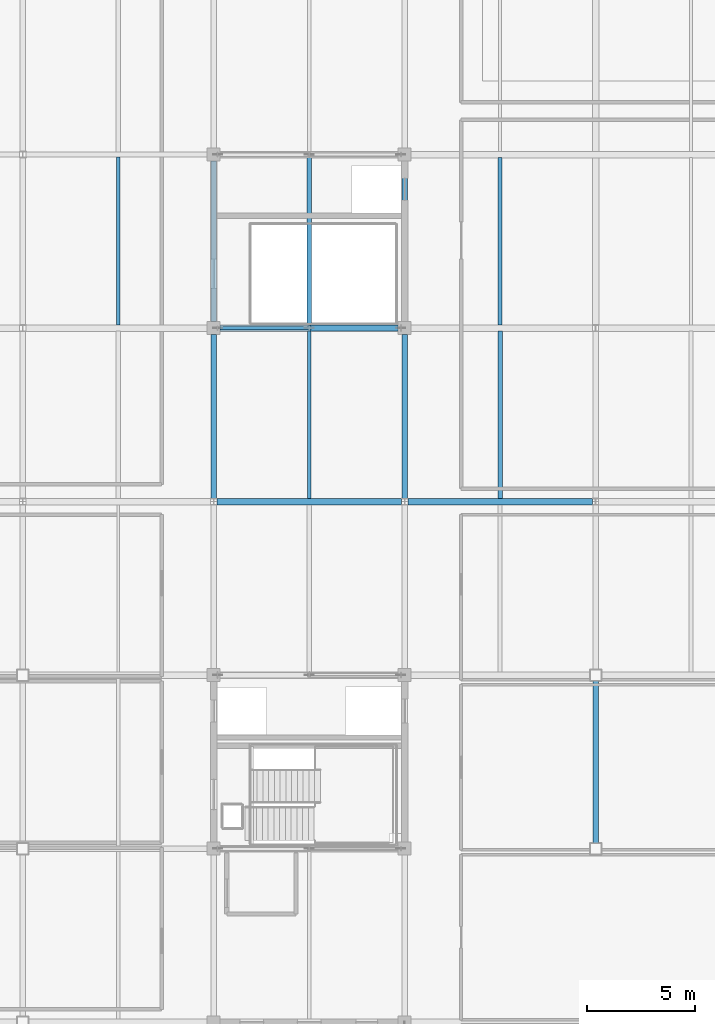
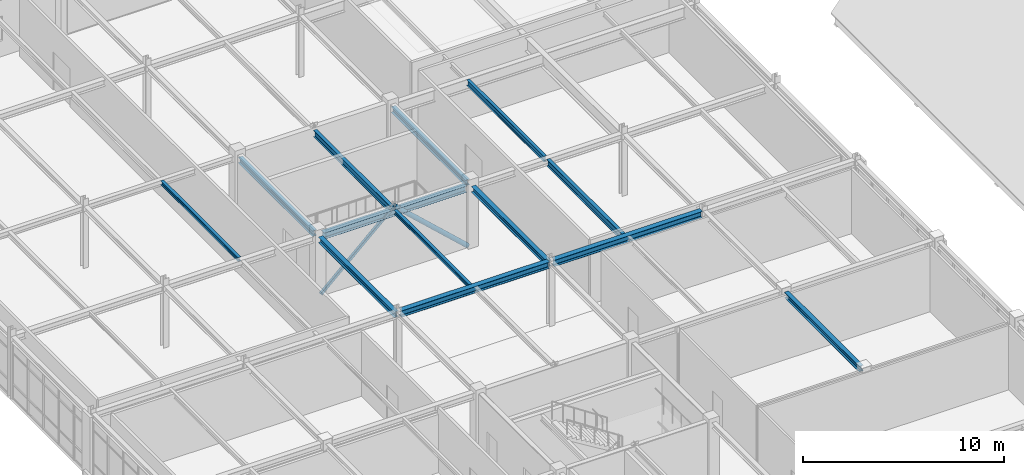
# One storey, part 17 of 64: 13 beams, 2 members.
"""IFC4 building model written with IfcOpenShell, lengths in metres."""

from ifc_helpers import new_model, si_unit, direction, frame, origin, origin_2d, place, context, subcontext, project, spatial, hollow_rectangle, hollow_circle, i_section, extrude, material, material_profile, profile_set, type_object, element, save


model = new_model("IFC4")

# Units and contexts
model_context = context("Model", 3, precision=1e-05, world=origin(), true_north=direction((0.0, 1.0)))
body_context = subcontext(model_context, "Body", "Model", "MODEL_VIEW")
ifc_project = project(units=[si_unit("LENGTHUNIT", "METRE"), si_unit("AREAUNIT", "SQUARE_METRE"), si_unit("VOLUMEUNIT", "CUBIC_METRE"), si_unit("PLANEANGLEUNIT", "RADIAN"), si_unit("MASSUNIT", "GRAM", prefix="KILO")], contexts=[model_context])

# Site, building, storey
site_placement = place(None, origin())
site = spatial("IfcSite", under=ifc_project, at=site_placement, CompositionType="ELEMENT")
building_placement = place(site_placement, origin())
building = spatial("IfcBuilding", under=site, at=building_placement, Name="Zhaolan Boulevard Law Courts", CompositionType="ELEMENT")
storey_placement = place(building_placement, frame((0.0, 0.0, 20.39990234375)))
storey = spatial("IfcBuildingStorey", under=building, at=storey_placement, Name="L04", CompositionType="ELEMENT", Elevation=20.39990234375)

# Members
ifc_material_1 = material(Name="Structural steel Q355B", Category="steel")
ifc_material_profile_1 = material_profile(ifc_material_1, hollow_circle(Radius=0.136474609375, WallThickness=0.010009765625, at=origin_2d()), Name="CHS273x10")
ifc_profile_set_1 = profile_set([ifc_material_profile_1], Name="Structural steel Q355B")
member_type_1 = type_object("IfcMemberType", Name="BRACE CHS273", PredefinedType="BRACE", material=ifc_profile_set_1)
member_1_placement = place(storey_placement, frame((26.219970703125, 86.0, 0.030029296875), z_axis=(-0.73525664892, 0.0, 0.677788802076), x_axis=(0.0, -1.0, 0.0)))
element("IfcMember", 1, at=member_1_placement, inside=storey, type_object=member_type_1, Name="Core Brace BR-L1-L04-S2", PredefinedType="BRACE", context=body_context, shape_type="SweptSolid", body=[
    extrude(hollow_circle(Radius=0.136474609375, WallThickness=0.010009765625, at=origin_2d()), origin(), (0.0, 0.0, 1.0), 5.739501953125),
])
ifc_material_2 = material(Name="Structural steel Q355B", Category="steel")
ifc_material_profile_2 = material_profile(ifc_material_2, hollow_rectangle(XDim=0.159912109375, YDim=0.159912109375, WallThickness=0.008056640625, InnerFilletRadius=0.008056640625, OuterFilletRadius=0.01611328125, at=origin_2d()), Name="HSS160x160x8")
ifc_profile_set_2 = profile_set([ifc_material_profile_2], Name="Structural steel Q355B")
member_type_2 = type_object("IfcMemberType", Name="BRACE HSS160", PredefinedType="BRACE", material=ifc_profile_set_2)
member_2_placement = place(storey_placement, frame((17.780029296875, 86.0, 0.030029296875), z_axis=(0.73525664892, 0.0, 0.677788802076), x_axis=(0.0, 1.0, 0.0)))
element("IfcMember", 2, at=member_2_placement, inside=storey, type_object=member_type_2, Name="Core Brace BR-L1-L04-S1", PredefinedType="BRACE", context=body_context, shape_type="SweptSolid", body=[
    extrude(hollow_rectangle(XDim=0.159912109375, YDim=0.159912109375, WallThickness=0.008056640625, InnerFilletRadius=0.008056640625, OuterFilletRadius=0.01611328125, at=origin_2d()), origin(), (0.0, 0.0, 1.0), 5.739501953125),
])

# Beams
ifc_material_3 = material(Name="Structural steel Q355B", Category="steel")
ifc_material_profile_3 = material_profile(ifc_material_3, i_section(OverallWidth=0.25, OverallDepth=0.340087890625, WebThickness=0.009033203125, FlangeThickness=0.013916015625, FilletRadius=0.01611328125, at=origin_2d()), Name="HM340x250")
ifc_profile_set_3 = profile_set([ifc_material_profile_3], Name="Structural steel Q355B")
beam_type_1 = type_object("IfcBeamType", Name="GIRDER HM340", PredefinedType="BEAM", material=ifc_profile_set_3)
beam_1_placement = place(storey_placement, frame((17.60009765625, 78.14599609375, 3.608154296875), z_axis=(0.0, 1.0, 0.0), x_axis=(-1.0, 0.0, 0.0)))
element("IfcBeam", 3, at=beam_1_placement, inside=storey, type_object=beam_type_1, Name="Beam BY-L05-3-L-M", PredefinedType="BEAM", context=body_context, shape_type="SweptSolid", body=[
    extrude(i_section(OverallWidth=0.25, OverallDepth=0.340087890625, WebThickness=0.009033203125, FlangeThickness=0.013916015625, FilletRadius=0.01611328125, at=origin_2d()), origin(), (0.0, 0.0, 1.0), 7.55810546875),
])
beam_2_placement = place(storey_placement, frame((17.60009765625, 86.2958984375, 3.608154296875), z_axis=(0.0, 1.0, 0.0), x_axis=(-1.0, 0.0, 0.0)))
element("IfcBeam", 4, at=beam_2_placement, inside=storey, type_object=beam_type_1, Name="Beam BY-L05-3-M-N", PredefinedType="BEAM", context=body_context, shape_type="SweptSolid", body=[
    extrude(i_section(OverallWidth=0.25, OverallDepth=0.340087890625, WebThickness=0.009033203125, FlangeThickness=0.013916015625, FilletRadius=0.01611328125, at=origin_2d()), origin(), (0.0, 0.0, 1.0), 7.408203125),
])
beam_3_placement = place(storey_placement, frame((26.39990234375, 78.14599609375, 3.608154296875), z_axis=(0.0, 1.0, 0.0), x_axis=(-1.0, 0.0, 0.0)))
element("IfcBeam", 5, at=beam_3_placement, inside=storey, type_object=beam_type_1, Name="Beam BY-L05-4-L-M", PredefinedType="BEAM", context=body_context, shape_type="SweptSolid", body=[
    extrude(i_section(OverallWidth=0.25, OverallDepth=0.340087890625, WebThickness=0.009033203125, FlangeThickness=0.013916015625, FilletRadius=0.01611328125, at=origin_2d()), origin(), (0.0, 0.0, 1.0), 7.55810546875),
])
beam_4_placement = place(storey_placement, frame((26.39990234375, 86.2958984375, 3.608154296875), z_axis=(0.0, 1.0, 0.0), x_axis=(-1.0, 0.0, 0.0)))
element("IfcBeam", 6, at=beam_4_placement, inside=storey, type_object=beam_type_1, Name="Beam BY-L05-4-M-N", PredefinedType="BEAM", context=body_context, shape_type="SweptSolid", body=[
    extrude(i_section(OverallWidth=0.25, OverallDepth=0.340087890625, WebThickness=0.009033203125, FlangeThickness=0.013916015625, FilletRadius=0.01611328125, at=origin_2d()), origin(), (0.0, 0.0, 1.0), 7.408203125),
])
beam_5_placement = place(storey_placement, frame((35.199951171875, 62.27099609375, 3.778076171875), z_axis=(0.0, 1.0, 0.0), x_axis=(-1.0, 0.0, 0.0)))
element("IfcBeam", 7, at=beam_5_placement, inside=storey, type_object=beam_type_1, Name="Beam BY-L05-5-J-K", PredefinedType="BEAM", context=body_context, shape_type="SweptSolid", body=[
    extrude(i_section(OverallWidth=0.25, OverallDepth=0.340087890625, WebThickness=0.009033203125, FlangeThickness=0.013916015625, FilletRadius=0.01611328125, at=origin_2d()), origin(), (0.0, 0.0, 1.0), 7.4580078125),
])
ifc_material_4 = material(Name="Structural steel Q355B", Category="steel")
ifc_material_profile_4 = material_profile(ifc_material_4, i_section(OverallWidth=0.300048828125, OverallDepth=0.389892578125, WebThickness=0.010009765625, FlangeThickness=0.01611328125, FilletRadius=0.01806640625, at=origin_2d()), Name="HM390x300")
ifc_profile_set_4 = profile_set([ifc_material_profile_4], Name="Structural steel Q355B")
beam_type_2 = type_object("IfcBeamType", Name="GIRDER HM390", PredefinedType="BEAM", material=ifc_profile_set_4)
beam_6_placement = place(storey_placement, frame((17.74609375, 78.0, 3.753173828125), z_axis=(1.0, 0.0, 0.0), x_axis=(0.0, 1.0, 0.0)))
element("IfcBeam", 8, at=beam_6_placement, inside=storey, type_object=beam_type_2, Name="Beam BX-L05-3-4-L", PredefinedType="BEAM", context=body_context, shape_type="SweptSolid", body=[
    extrude(i_section(OverallWidth=0.300048828125, OverallDepth=0.389892578125, WebThickness=0.010009765625, FlangeThickness=0.01611328125, FilletRadius=0.01806640625, at=origin_2d()), origin(), (0.0, 0.0, 1.0), 8.5078125),
])
beam_7_placement = place(storey_placement, frame((26.5458984375, 78.0, 3.753173828125), z_axis=(1.0, 0.0, 0.0), x_axis=(0.0, 1.0, 0.0)))
element("IfcBeam", 9, at=beam_7_placement, inside=storey, type_object=beam_type_2, Name="Beam BX-L05-4-5-L", PredefinedType="BEAM", context=body_context, shape_type="SweptSolid", body=[
    extrude(i_section(OverallWidth=0.300048828125, OverallDepth=0.389892578125, WebThickness=0.010009765625, FlangeThickness=0.01611328125, FilletRadius=0.01806640625, at=origin_2d()), origin(), (0.0, 0.0, 1.0), 8.508056640625),
])
beam_8_placement = place(storey_placement, frame((17.89599609375, 86.0, 3.5830078125), z_axis=(1.0, 0.0, 0.0), x_axis=(0.0, 1.0, 0.0)))
element("IfcBeam", 10, at=beam_8_placement, inside=storey, type_object=beam_type_2, Name="Beam BX-L05-3-4-M", PredefinedType="BEAM", context=body_context, shape_type="SweptSolid", body=[
    extrude(i_section(OverallWidth=0.300048828125, OverallDepth=0.389892578125, WebThickness=0.010009765625, FlangeThickness=0.01611328125, FilletRadius=0.01806640625, at=origin_2d()), origin(), (0.0, 0.0, 1.0), 8.2080078125),
])
ifc_material_5 = material(Name="Structural steel Q355B", Category="steel")
ifc_material_profile_5 = material_profile(ifc_material_5, i_section(OverallWidth=0.175048828125, OverallDepth=0.243896484375, WebThickness=0.007080078125, FlangeThickness=0.010986328125, FilletRadius=0.012939453125, at=origin_2d()), Name="HM244x175")
ifc_profile_set_5 = profile_set([ifc_material_profile_5], Name="Structural steel Q355B")
beam_type_3 = type_object("IfcBeamType", Name="JOIST HM244", PredefinedType="JOIST", material=ifc_profile_set_5)
beam_9_placement = place(storey_placement, frame((13.199951171875, 86.14599609375, 3.656005859375), z_axis=(0.0, 1.0, 0.0), x_axis=(-1.0, 0.0, 0.0)))
element("IfcBeam", 11, at=beam_9_placement, inside=storey, type_object=beam_type_3, Name="Composite Joist J-L05-2M", PredefinedType="JOIST", context=body_context, shape_type="SweptSolid", body=[
    extrude(i_section(OverallWidth=0.175048828125, OverallDepth=0.243896484375, WebThickness=0.007080078125, FlangeThickness=0.010986328125, FilletRadius=0.012939453125, at=origin_2d()), origin(), (0.0, 0.0, 1.0), 7.73291015625),
])
beam_10_placement = place(storey_placement, frame((22.0, 78.14599609375, 3.656005859375), z_axis=(0.0, 1.0, 0.0), x_axis=(-1.0, 0.0, 0.0)))
element("IfcBeam", 12, at=beam_10_placement, inside=storey, type_object=beam_type_3, Name="Composite Joist J-L05-3L", PredefinedType="JOIST", context=body_context, shape_type="SweptSolid", body=[
    extrude(i_section(OverallWidth=0.175048828125, OverallDepth=0.243896484375, WebThickness=0.007080078125, FlangeThickness=0.010986328125, FilletRadius=0.012939453125, at=origin_2d()), origin(), (0.0, 0.0, 1.0), 7.7080078125),
])
ifc_material_6 = material(Name="Structural steel Q355B", Category="steel")
ifc_material_profile_6 = material_profile(ifc_material_6, i_section(OverallWidth=0.175048828125, OverallDepth=0.35009765625, WebThickness=0.007080078125, FlangeThickness=0.010986328125, FilletRadius=0.012939453125, at=origin_2d()), Name="HN350x175")
ifc_profile_set_6 = profile_set([ifc_material_profile_6], Name="Structural steel Q355B")
beam_type_4 = type_object("IfcBeamType", Name="JOIST HN350", PredefinedType="JOIST", material=ifc_profile_set_6)
beam_11_placement = place(storey_placement, frame((30.800048828125, 86.14599609375, 3.60302734375), z_axis=(0.0, 1.0, 0.0), x_axis=(-1.0, 0.0, 0.0)))
element("IfcBeam", 13, at=beam_11_placement, inside=storey, type_object=beam_type_4, Name="Composite Joist J-L05-4M", PredefinedType="JOIST", context=body_context, shape_type="SweptSolid", body=[
    extrude(i_section(OverallWidth=0.175048828125, OverallDepth=0.35009765625, WebThickness=0.007080078125, FlangeThickness=0.010986328125, FilletRadius=0.012939453125, at=origin_2d()), origin(), (0.0, 0.0, 1.0), 7.7080078125),
])
ifc_material_7 = material(Name="Structural steel Q355B", Category="steel")
ifc_material_profile_7 = material_profile(ifc_material_7, i_section(OverallWidth=0.199951171875, OverallDepth=0.39990234375, WebThickness=0.008056640625, FlangeThickness=0.012939453125, FilletRadius=0.013916015625, at=origin_2d()), Name="HN400x200")
ifc_profile_set_7 = profile_set([ifc_material_profile_7], Name="Structural steel Q355B")
beam_type_5 = type_object("IfcBeamType", Name="JOIST HN400", PredefinedType="JOIST", material=ifc_profile_set_7)
beam_12_placement = place(storey_placement, frame((22.0, 86.14599609375, 3.578125), z_axis=(0.0, 1.0, 0.0), x_axis=(-1.0, 0.0, 0.0)))
element("IfcBeam", 14, at=beam_12_placement, inside=storey, type_object=beam_type_5, Name="Composite Joist J-L05-3M", PredefinedType="JOIST", context=body_context, shape_type="SweptSolid", body=[
    extrude(i_section(OverallWidth=0.199951171875, OverallDepth=0.39990234375, WebThickness=0.008056640625, FlangeThickness=0.012939453125, FilletRadius=0.013916015625, at=origin_2d()), origin(), (0.0, 0.0, 1.0), 7.73291015625),
])
beam_13_placement = place(storey_placement, frame((30.800048828125, 78.14599609375, 3.578125), z_axis=(0.0, 1.0, 0.0), x_axis=(-1.0, 0.0, 0.0)))
element("IfcBeam", 15, at=beam_13_placement, inside=storey, type_object=beam_type_5, Name="Composite Joist J-L05-4L", PredefinedType="JOIST", context=body_context, shape_type="SweptSolid", body=[
    extrude(i_section(OverallWidth=0.199951171875, OverallDepth=0.39990234375, WebThickness=0.008056640625, FlangeThickness=0.012939453125, FilletRadius=0.013916015625, at=origin_2d()), origin(), (0.0, 0.0, 1.0), 7.7080078125),
])

save(model, "model.ifc")
